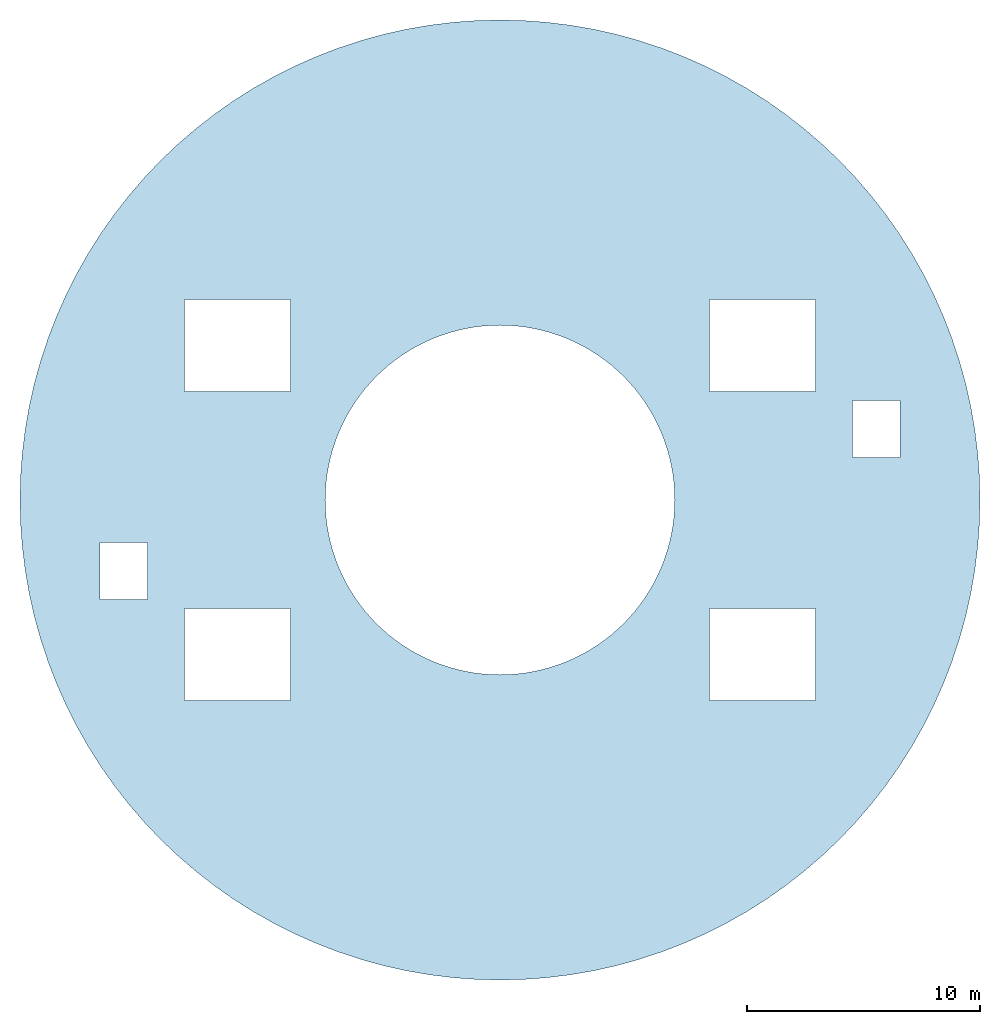
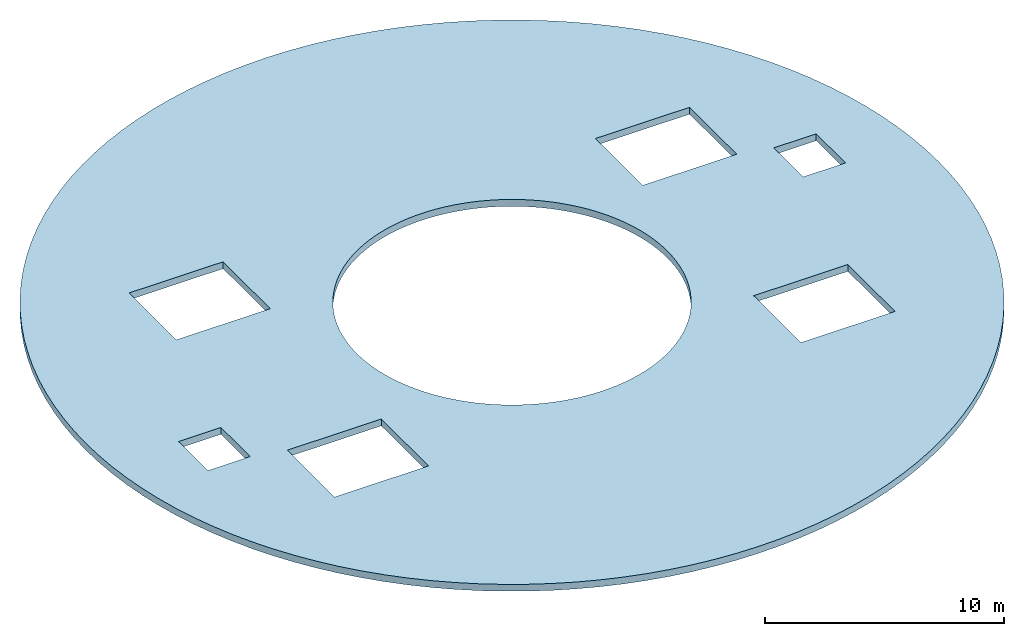
# One storey: 1 slab.
"""IFC4 building model written with IfcOpenShell, lengths in metres."""

from ifc_helpers import new_model, si_unit, direction, frame, origin, place, context, subcontext, project, spatial, polyline, outline, extrude, material, layer, layer_set, type_object, element, save


model = new_model("IFC4")

# Units and contexts
model_context = context("Model", 3, precision=1e-05, world=origin(), true_north=direction((0.0, 1.0)))
body_context = subcontext(model_context, "Body", "Model", "MODEL_VIEW")
ifc_project = project(units=[si_unit("LENGTHUNIT", "METRE"), si_unit("AREAUNIT", "SQUARE_METRE"), si_unit("VOLUMEUNIT", "CUBIC_METRE"), si_unit("PLANEANGLEUNIT", "RADIAN"), si_unit("MASSUNIT", "GRAM", prefix="KILO")], contexts=[model_context])

# Site, building, storey
site_placement = place(None, origin())
site = spatial("IfcSite", under=ifc_project, at=site_placement, CompositionType="ELEMENT")
building_placement = place(site_placement, origin())
building = spatial("IfcBuilding", under=site, at=building_placement, Name="Maasbend Ring Residences", CompositionType="ELEMENT")
storey_placement = place(building_placement, frame((0.0, 0.0, 273.14990234375)))
storey = spatial("IfcBuildingStorey", under=building, at=storey_placement, Name="ROOF", CompositionType="ELEMENT", Elevation=273.14990234375)

# Slab
ifc_material = material(Name="Concrete C40/50", Category="concrete")
ifc_layer = layer(ifc_material, 0.35009765625)
ifc_layer_set = layer_set([ifc_layer], Name="Concrete C40/50")
slab_type = type_object("IfcSlabType", Name="Plant roof slab 350", PredefinedType="ROOF", material=ifc_layer_set)
slab_placement = place(storey_placement, origin())
element("IfcSlab", 1, at=slab_placement, inside=storey, type_object=slab_type, Name="Plant roof slab", PredefinedType="ROOF", context=body_context, shape_type="SweptSolid", body=[
    extrude(outline(polyline([(20.5751953125, -1.0107421875), (20.60009765625, 0.0), (20.5751953125, 1.0107421875), (20.500732421875, 2.019287109375), (20.376953125, 3.022705078125), (20.2041015625, 4.018798828125), (19.982666015625, 5.00537109375), (19.712890625, 5.97998046875), (19.395751953125, 6.93994140625), (19.031982421875, 7.88330078125), (18.622314453125, 8.8076171875), (18.16748046875, 9.710693359375), (17.669189453125, 10.590576171875), (17.12841796875, 11.444580078125), (16.546142578125, 12.271484375), (15.924072265625, 13.068603515625), (15.263671875, 13.833984375), (14.56640625, 14.56640625), (13.833984375, 15.263671875), (13.068603515625, 15.924072265625), (12.271484375, 16.546142578125), (11.444580078125, 17.12841796875), (10.590576171875, 17.669189453125), (9.710693359375, 18.16748046875), (8.8076171875, 18.622314453125), (7.88330078125, 19.031982421875), (6.93994140625, 19.395751953125), (5.97998046875, 19.712890625), (5.00537109375, 19.982666015625), (4.018798828125, 20.2041015625), (3.022705078125, 20.376953125), (2.019287109375, 20.500732421875), (1.0107421875, 20.5751953125), (0.0, 20.60009765625), (-1.0107421875, 20.5751953125), (-2.019287109375, 20.500732421875), (-3.022705078125, 20.376953125), (-4.018798828125, 20.2041015625), (-5.00537109375, 19.982666015625), (-5.97998046875, 19.712890625), (-6.93994140625, 19.395751953125), (-7.88330078125, 19.031982421875), (-8.8076171875, 18.622314453125), (-9.710693359375, 18.16748046875), (-10.590576171875, 17.669189453125), (-11.444580078125, 17.12841796875), (-12.271484375, 16.546142578125), (-13.068603515625, 15.924072265625), (-13.833984375, 15.263671875), (-14.56640625, 14.56640625), (-15.263671875, 13.833984375), (-15.924072265625, 13.068603515625), (-16.546142578125, 12.271484375), (-17.12841796875, 11.444580078125), (-17.669189453125, 10.590576171875), (-18.16748046875, 9.710693359375), (-18.622314453125, 8.8076171875), (-19.031982421875, 7.88330078125), (-19.395751953125, 6.93994140625), (-19.712890625, 5.97998046875), (-19.982666015625, 5.00537109375), (-20.2041015625, 4.018798828125), (-20.376953125, 3.022705078125), (-20.500732421875, 2.019287109375), (-20.5751953125, 1.0107421875), (-20.60009765625, 0.0), (-20.5751953125, -1.0107421875), (-20.500732421875, -2.019287109375), (-20.376953125, -3.022705078125), (-20.2041015625, -4.018798828125), (-19.982666015625, -5.00537109375), (-19.712890625, -5.97998046875), (-19.395751953125, -6.93994140625), (-19.031982421875, -7.88330078125), (-18.622314453125, -8.8076171875), (-18.16748046875, -9.710693359375), (-17.669189453125, -10.590576171875), (-17.12841796875, -11.444580078125), (-16.546142578125, -12.271484375), (-15.924072265625, -13.068603515625), (-15.263671875, -13.833984375), (-14.56640625, -14.56640625), (-13.833984375, -15.263671875), (-13.068603515625, -15.924072265625), (-12.271484375, -16.546142578125), (-11.444580078125, -17.12841796875), (-10.590576171875, -17.669189453125), (-9.710693359375, -18.16748046875), (-8.8076171875, -18.622314453125), (-7.88330078125, -19.031982421875), (-6.93994140625, -19.395751953125), (-5.97998046875, -19.712890625), (-5.00537109375, -19.982666015625), (-4.018798828125, -20.2041015625), (-3.022705078125, -20.376953125), (-2.019287109375, -20.500732421875), (-1.0107421875, -20.5751953125), (0.0, -20.60009765625), (1.0107421875, -20.5751953125), (2.019287109375, -20.500732421875), (3.022705078125, -20.376953125), (4.018798828125, -20.2041015625), (5.00537109375, -19.982666015625), (5.97998046875, -19.712890625), (6.93994140625, -19.395751953125), (7.88330078125, -19.031982421875), (8.8076171875, -18.622314453125), (9.710693359375, -18.16748046875), (10.590576171875, -17.669189453125), (11.444580078125, -17.12841796875), (12.271484375, -16.546142578125), (13.068603515625, -15.924072265625), (13.833984375, -15.263671875), (14.56640625, -14.56640625), (15.263671875, -13.833984375), (15.924072265625, -13.068603515625), (16.546142578125, -12.271484375), (17.12841796875, -11.444580078125), (17.669189453125, -10.590576171875), (18.16748046875, -9.710693359375), (18.622314453125, -8.8076171875), (19.031982421875, -7.88330078125), (19.395751953125, -6.93994140625), (19.712890625, -5.97998046875), (19.982666015625, -5.00537109375), (20.2041015625, -4.018798828125), (20.376953125, -3.022705078125), (20.500732421875, -2.019287109375), (20.5751953125, -1.0107421875)]), holes=[polyline([(17.175048828125, 4.27490234375), (17.175048828125, 1.824951171875), (15.125, 1.824951171875), (15.125, 4.27490234375), (17.175048828125, 4.27490234375)]), polyline([(9.0, -4.64990234375), (13.550048828125, -4.64990234375), (13.550048828125, -8.60009765625), (9.0, -8.60009765625), (9.0, -4.64990234375)]), polyline([(9.0, 8.60009765625), (13.550048828125, 8.60009765625), (13.550048828125, 4.64990234375), (9.0, 4.64990234375), (9.0, 8.60009765625)]), polyline([(7.490966796875, 0.367919921875), (7.5, 0.0), (7.490966796875, -0.367919921875), (7.4638671875, -0.735107421875), (7.418701171875, -1.1005859375), (7.35595703125, -1.463134765625), (7.275146484375, -1.822509765625), (7.177001953125, -2.177001953125), (7.0615234375, -2.526611328125), (6.92919921875, -2.8701171875), (6.77978515625, -3.206787109375), (6.614501953125, -3.535400390625), (6.43310546875, -3.855712890625), (6.236083984375, -4.166748046875), (6.024169921875, -4.4677734375), (5.797607421875, -4.7578125), (5.55712890625, -5.03662109375), (5.30322265625, -5.30322265625), (5.03662109375, -5.55712890625), (4.7578125, -5.797607421875), (4.4677734375, -6.024169921875), (4.166748046875, -6.236083984375), (3.855712890625, -6.43310546875), (3.535400390625, -6.614501953125), (3.206787109375, -6.77978515625), (2.8701171875, -6.92919921875), (2.526611328125, -7.0615234375), (2.177001953125, -7.177001953125), (1.822509765625, -7.275146484375), (1.463134765625, -7.35595703125), (1.1005859375, -7.418701171875), (0.735107421875, -7.4638671875), (0.367919921875, -7.490966796875), (0.0, -7.5), (-0.367919921875, -7.490966796875), (-0.735107421875, -7.4638671875), (-1.1005859375, -7.418701171875), (-1.463134765625, -7.35595703125), (-1.822509765625, -7.275146484375), (-2.177001953125, -7.177001953125), (-2.526611328125, -7.0615234375), (-2.8701171875, -6.92919921875), (-3.206787109375, -6.77978515625), (-3.535400390625, -6.614501953125), (-3.855712890625, -6.43310546875), (-4.166748046875, -6.236083984375), (-4.4677734375, -6.024169921875), (-4.7578125, -5.797607421875), (-5.03662109375, -5.55712890625), (-5.30322265625, -5.30322265625), (-5.55712890625, -5.03662109375), (-5.797607421875, -4.7578125), (-6.024169921875, -4.4677734375), (-6.236083984375, -4.166748046875), (-6.43310546875, -3.855712890625), (-6.614501953125, -3.535400390625), (-6.77978515625, -3.206787109375), (-6.92919921875, -2.8701171875), (-7.0615234375, -2.526611328125), (-7.177001953125, -2.177001953125), (-7.275146484375, -1.822509765625), (-7.35595703125, -1.463134765625), (-7.418701171875, -1.1005859375), (-7.4638671875, -0.735107421875), (-7.490966796875, -0.367919921875), (-7.5, 0.0), (-7.490966796875, 0.367919921875), (-7.4638671875, 0.735107421875), (-7.418701171875, 1.1005859375), (-7.35595703125, 1.463134765625), (-7.275146484375, 1.822509765625), (-7.177001953125, 2.177001953125), (-7.0615234375, 2.526611328125), (-6.92919921875, 2.8701171875), (-6.77978515625, 3.206787109375), (-6.614501953125, 3.535400390625), (-6.43310546875, 3.855712890625), (-6.236083984375, 4.166748046875), (-6.024169921875, 4.4677734375), (-5.797607421875, 4.7578125), (-5.55712890625, 5.03662109375), (-5.30322265625, 5.30322265625), (-5.03662109375, 5.55712890625), (-4.7578125, 5.797607421875), (-4.4677734375, 6.024169921875), (-4.166748046875, 6.236083984375), (-3.855712890625, 6.43310546875), (-3.535400390625, 6.614501953125), (-3.206787109375, 6.77978515625), (-2.8701171875, 6.92919921875), (-2.526611328125, 7.0615234375), (-2.177001953125, 7.177001953125), (-1.822509765625, 7.275146484375), (-1.463134765625, 7.35595703125), (-1.1005859375, 7.418701171875), (-0.735107421875, 7.4638671875), (-0.367919921875, 7.490966796875), (0.0, 7.5), (0.367919921875, 7.490966796875), (0.735107421875, 7.4638671875), (1.1005859375, 7.418701171875), (1.463134765625, 7.35595703125), (1.822509765625, 7.275146484375), (2.177001953125, 7.177001953125), (2.526611328125, 7.0615234375), (2.8701171875, 6.92919921875), (3.206787109375, 6.77978515625), (3.535400390625, 6.614501953125), (3.855712890625, 6.43310546875), (4.166748046875, 6.236083984375), (4.4677734375, 6.024169921875), (4.7578125, 5.797607421875), (5.03662109375, 5.55712890625), (5.30322265625, 5.30322265625), (5.55712890625, 5.03662109375), (5.797607421875, 4.7578125), (6.024169921875, 4.4677734375), (6.236083984375, 4.166748046875), (6.43310546875, 3.855712890625), (6.614501953125, 3.535400390625), (6.77978515625, 3.206787109375), (6.92919921875, 2.8701171875), (7.0615234375, 2.526611328125), (7.177001953125, 2.177001953125), (7.275146484375, 1.822509765625), (7.35595703125, 1.463134765625), (7.418701171875, 1.1005859375), (7.4638671875, 0.735107421875), (7.490966796875, 0.367919921875)]), polyline([(-9.0, -4.64990234375), (-9.0, -8.60009765625), (-13.550048828125, -8.60009765625), (-13.550048828125, -4.64990234375), (-9.0, -4.64990234375)]), polyline([(-9.0, 4.64990234375), (-13.550048828125, 4.64990234375), (-13.550048828125, 8.60009765625), (-9.0, 8.60009765625), (-9.0, 4.64990234375)]), polyline([(-17.175048828125, -1.824951171875), (-15.125, -1.824951171875), (-15.125, -4.27490234375), (-17.175048828125, -4.27490234375), (-17.175048828125, -1.824951171875)])]), origin(), (0.0, 0.0, 1.0), 0.35009765625),
])

save(model, "model.ifc")
